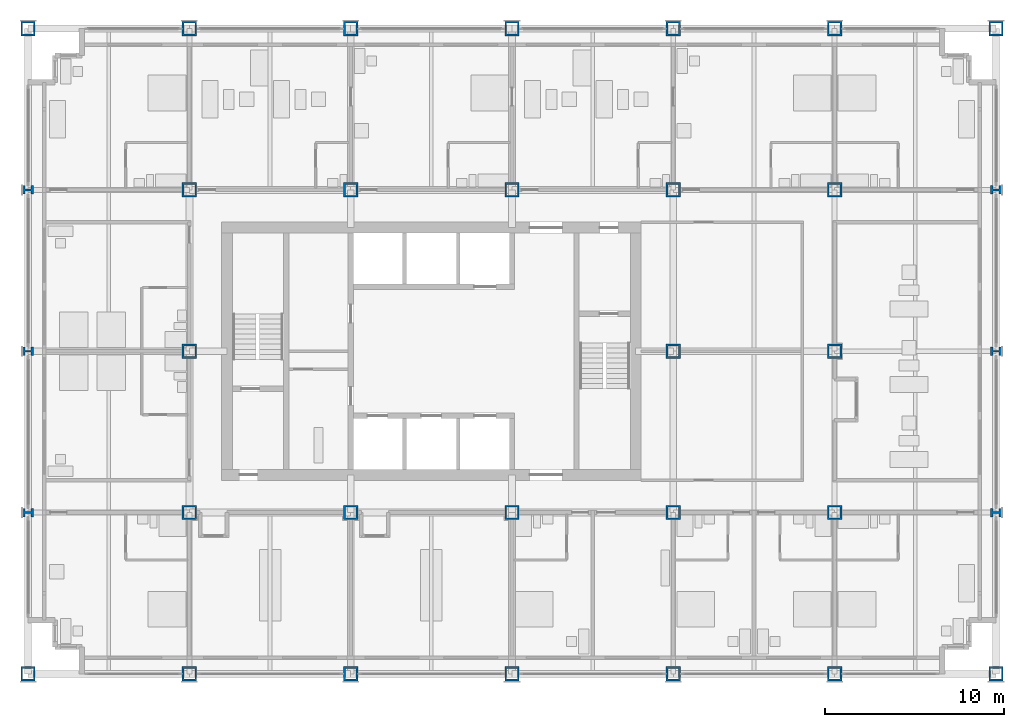
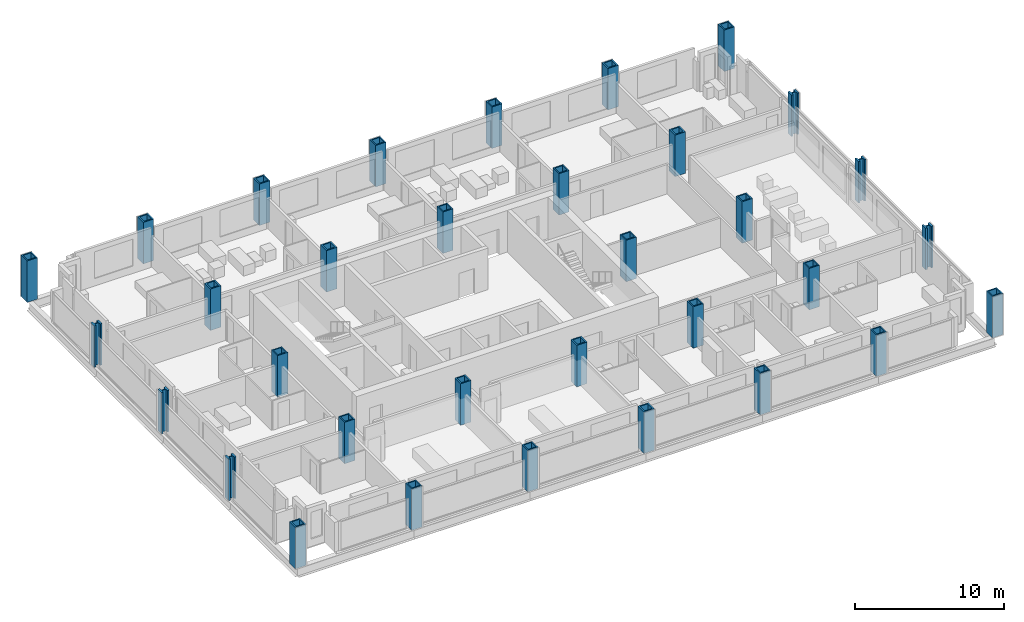
# One storey, part 1 of 18: 33 columns.
"""IFC4 building model written with IfcOpenShell, lengths in metres."""

from ifc_helpers import new_model, si_unit, direction, frame, origin, origin_2d, place, context, subcontext, project, spatial, hollow_rectangle, i_section, extrude, material, material_profile, profile_set, type_object, element, save


model = new_model("IFC4")

# Units and contexts
model_context = context("Model", 3, precision=1e-05, world=origin(), true_north=direction((0.0, 1.0)))
body_context = subcontext(model_context, "Body", "Model", "MODEL_VIEW")
ifc_project = project(units=[si_unit("LENGTHUNIT", "METRE"), si_unit("AREAUNIT", "SQUARE_METRE"), si_unit("VOLUMEUNIT", "CUBIC_METRE"), si_unit("PLANEANGLEUNIT", "RADIAN"), si_unit("MASSUNIT", "GRAM", prefix="KILO")], contexts=[model_context])

# Site, building, storey
site_placement = place(None, origin())
site = spatial("IfcSite", under=ifc_project, at=site_placement, CompositionType="ELEMENT")
building_placement = place(site_placement, origin())
building = spatial("IfcBuilding", under=site, at=building_placement, Name="Loomwork Tower", CompositionType="ELEMENT")
storey_placement = place(building_placement, frame((0.0, 0.0, 28.0)))
storey = spatial("IfcBuildingStorey", under=building, at=storey_placement, Name="L05", CompositionType="ELEMENT", Elevation=28.0)

# Columns
ifc_material_1 = material(Name="Steel ASTM A572 Grade 50 plate", Category="steel")
ifc_material_profile_1 = material_profile(ifc_material_1, hollow_rectangle(XDim=0.800048828125, YDim=0.800048828125, WallThickness=0.10009765625, at=origin_2d()), Name="BOX800x100")
ifc_profile_set_1 = profile_set([ifc_material_profile_1], Name="Steel ASTM A572 Grade 50 plate")
column_type_1 = type_object("IfcColumnType", Name="EXOSKELETON PIER BOX800x100", PredefinedType="COLUMN", material=ifc_profile_set_1)
for number, where, z_axis, x_axis, name in (
    (1, (0.0, 0.0, 0.0), (0.0, 0.0, 1.0), (1.0, 0.0, 0.0), "Exoskeleton Pier D/2 L05"),
    (2, (0.0, 36.0, 0.0), (0.0, 0.0, 1.0), (1.0, 0.0, 0.0), "Exoskeleton Pier H/2 L05"),
    (3, (9.0, 0.0, 0.0), (0.0, 0.0, 1.0), (1.0, 0.0, 0.0), "Exoskeleton Pier D/3 L05"),
    (4, (9.0, 36.0, 0.0), (0.0, 0.0, 1.0), (1.0, 0.0, 0.0), "Exoskeleton Pier H/3 L05"),
    (5, (18.0, 0.0, 0.0), (0.0, 0.0, 1.0), (1.0, 0.0, 0.0), "Exoskeleton Pier D/4 L05"),
    (6, (18.0, 36.0, 0.0), (0.0, 0.0, 1.0), (1.0, 0.0, 0.0), "Exoskeleton Pier H/4 L05"),
    (7, (27.0, 0.0, 0.0), (0.0, 0.0, 1.0), (1.0, 0.0, 0.0), "Exoskeleton Pier D/5 L05"),
    (8, (27.0, 36.0, 0.0), (0.0, 0.0, 1.0), (1.0, 0.0, 0.0), "Exoskeleton Pier H/5 L05"),
    (9, (36.0, 0.0, 0.0), (0.0, 0.0, 1.0), (1.0, 0.0, 0.0), "Exoskeleton Pier D/6 L05"),
    (10, (36.0, 36.0, 0.0), (0.0, 0.0, 1.0), (1.0, 0.0, 0.0), "Exoskeleton Pier H/6 L05"),
    (11, (45.0, 0.0, 0.0), (0.0, 0.0, 1.0), (1.0, 0.0, 0.0), "Exoskeleton Pier D/7 L05"),
    (12, (45.0, 36.0, 0.0), (0.0, 0.0, 1.0), (1.0, 0.0, 0.0), "Exoskeleton Pier H/7 L05"),
    (13, (54.0, 0.0, 0.0), (0.0, 0.0, 1.0), (1.0, 0.0, 0.0), "Exoskeleton Pier D/8 L05"),
    (14, (54.0, 36.0, 0.0), (0.0, 0.0, 1.0), (1.0, 0.0, 0.0), "Exoskeleton Pier H/8 L05"),
):
    element("IfcColumn", number, at=place(storey_placement, frame(where, z_axis=z_axis, x_axis=x_axis)), inside=storey, type_object=column_type_1, Name=name, PredefinedType="COLUMN", context=body_context, shape_type="SweptSolid", body=[
        extrude(hollow_rectangle(XDim=0.800048828125, YDim=0.800048828125, WallThickness=0.10009765625, at=origin_2d()), origin(), (0.0, 0.0, 1.0), 3.39990234375),
    ])
ifc_material_2 = material(Name="Steel ASTM A992", Category="steel")
ifc_material_profile_2 = material_profile(ifc_material_2, i_section(OverallWidth=0.4775390625, OverallDepth=0.599365234375, WebThickness=0.10009765625, FlangeThickness=0.139892578125, at=origin_2d()), Name="W14x873")
ifc_profile_set_2 = profile_set([ifc_material_profile_2], Name="Steel ASTM A992")
column_type_2 = type_object("IfcColumnType", Name="EXOSKELETON PIER W14x873", PredefinedType="COLUMN", material=ifc_profile_set_2)
for number, where, z_axis, x_axis, name in (
    (15, (0.0, 9.0, 0.0), (0.0, 0.0, 1.0), (0.0, 1.0, 0.0), "Exoskeleton Pier E/2 L05"),
    (16, (0.0, 18.0, 0.0), (0.0, 0.0, 1.0), (0.0, 1.0, 0.0), "Exoskeleton Pier F/2 L05"),
    (17, (0.0, 27.0, 0.0), (0.0, 0.0, 1.0), (0.0, 1.0, 0.0), "Exoskeleton Pier G/2 L05"),
    (18, (54.0, 9.0, 0.0), (0.0, 0.0, 1.0), (0.0, 1.0, 0.0), "Exoskeleton Pier E/8 L05"),
    (19, (54.0, 18.0, 0.0), (0.0, 0.0, 1.0), (0.0, 1.0, 0.0), "Exoskeleton Pier F/8 L05"),
    (20, (54.0, 27.0, 0.0), (0.0, 0.0, 1.0), (0.0, 1.0, 0.0), "Exoskeleton Pier G/8 L05"),
):
    element("IfcColumn", number, at=place(storey_placement, frame(where, z_axis=z_axis, x_axis=x_axis)), inside=storey, type_object=column_type_2, Name=name, PredefinedType="COLUMN", context=body_context, shape_type="SweptSolid", body=[
        extrude(i_section(OverallWidth=0.4775390625, OverallDepth=0.599365234375, WebThickness=0.10009765625, FlangeThickness=0.139892578125, at=origin_2d()), origin(), (0.0, 0.0, 1.0), 3.39990234375),
    ])
ifc_material_3 = material(Name="Steel ASTM A572 Grade 50 plate", Category="steel")
ifc_material_profile_3 = material_profile(ifc_material_3, hollow_rectangle(XDim=0.800048828125, YDim=0.800048828125, WallThickness=0.10009765625, at=origin_2d()), Name="BOX800x100")
ifc_profile_set_3 = profile_set([ifc_material_profile_3], Name="Steel ASTM A572 Grade 50 plate")
column_type_3 = type_object("IfcColumnType", Name="TOWER COLUMN BOX800x100", PredefinedType="COLUMN", material=ifc_profile_set_3)
for number, where, z_axis, x_axis, name in (
    (21, (9.0, 9.0, 0.0), (0.0, 0.0, 1.0), (1.0, 0.0, 0.0), "Tower Column E/3 L05"),
    (22, (9.0, 18.0, 0.0), (0.0, 0.0, 1.0), (1.0, 0.0, 0.0), "Tower Column F/3 L05"),
    (23, (9.0, 27.0, 0.0), (0.0, 0.0, 1.0), (1.0, 0.0, 0.0), "Tower Column G/3 L05"),
    (24, (18.0, 9.0, 0.0), (0.0, 0.0, 1.0), (1.0, 0.0, 0.0), "Tower Column E/4 L05"),
    (25, (18.0, 27.0, 0.0), (0.0, 0.0, 1.0), (1.0, 0.0, 0.0), "Tower Column G/4 L05"),
    (26, (27.0, 9.0, 0.0), (0.0, 0.0, 1.0), (1.0, 0.0, 0.0), "Tower Column E/5 L05"),
    (27, (27.0, 27.0, 0.0), (0.0, 0.0, 1.0), (1.0, 0.0, 0.0), "Tower Column G/5 L05"),
    (28, (36.0, 9.0, 0.0), (0.0, 0.0, 1.0), (0.0, 1.0, 0.0), "Tower Column E/6 L05"),
    (29, (36.0, 18.0, 0.0), (0.0, 0.0, 1.0), (0.0, 1.0, 0.0), "Tower Column F/6 L05"),
    (30, (36.0, 27.0, 0.0), (0.0, 0.0, 1.0), (1.0, 0.0, 0.0), "Tower Column G/6 L05"),
    (31, (45.0, 9.0, 0.0), (0.0, 0.0, 1.0), (0.0, 1.0, 0.0), "Tower Column E/7 L05"),
    (32, (45.0, 18.0, 0.0), (0.0, 0.0, 1.0), (0.0, 1.0, 0.0), "Tower Column F/7 L05"),
    (33, (45.0, 27.0, 0.0), (0.0, 0.0, 1.0), (0.0, 1.0, 0.0), "Tower Column G/7 L05"),
):
    element("IfcColumn", number, at=place(storey_placement, frame(where, z_axis=z_axis, x_axis=x_axis)), inside=storey, type_object=column_type_3, Name=name, PredefinedType="COLUMN", context=body_context, shape_type="SweptSolid", body=[
        extrude(hollow_rectangle(XDim=0.800048828125, YDim=0.800048828125, WallThickness=0.10009765625, at=origin_2d()), origin(), (0.0, 0.0, 1.0), 3.39990234375),
    ])

save(model, "model.ifc")
